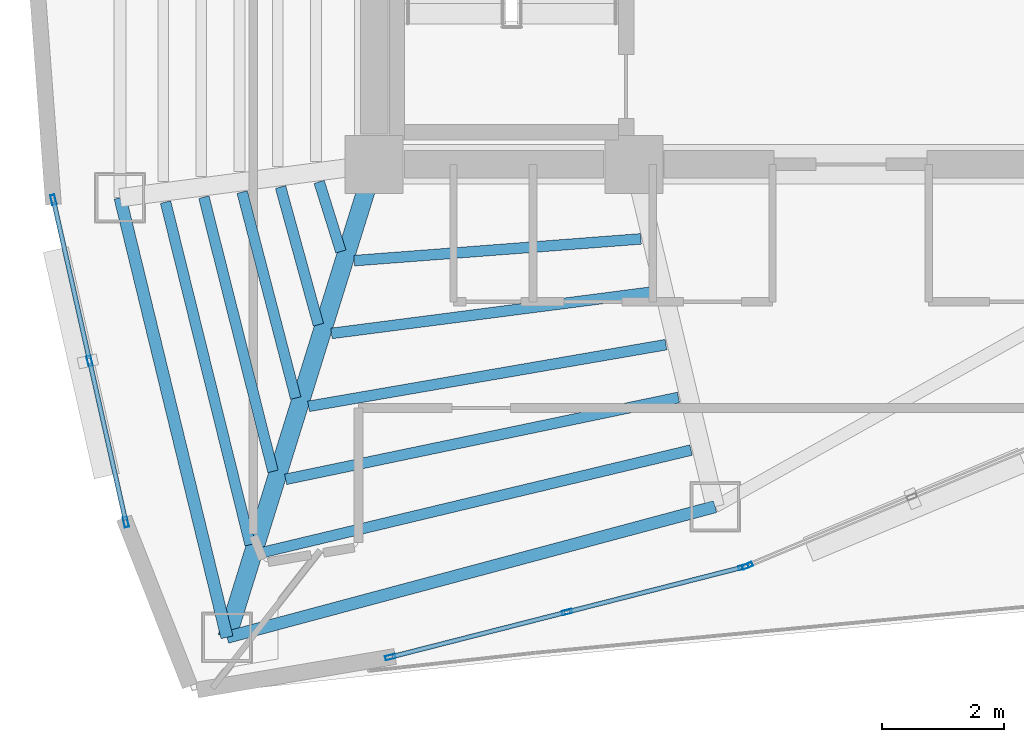
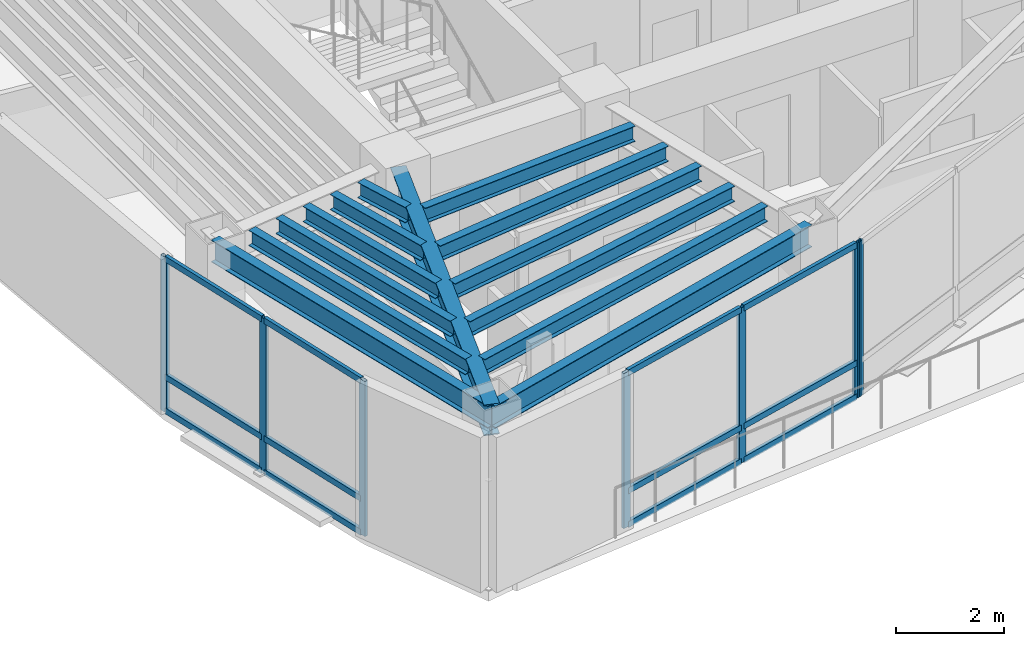
# One storey, part 2 of 16: 19 members, 13 beams, 3 elements without a shape of their own.
"""IFC4 building model written with IfcOpenShell, lengths in metres."""

from ifc_helpers import new_model, si_unit, direction, frame, origin, origin_2d, place, context, subcontext, project, spatial, hollow_rectangle, i_section, extrude, material, layer, layer_set, material_profile, profile_set, type_object, element, aggregate, save


model = new_model("IFC4")

# Units and contexts
model_context = context("Model", 3, precision=1e-05, world=origin(), true_north=direction((0.0, 1.0)))
body_context = subcontext(model_context, "Body", "Model", "MODEL_VIEW")
ifc_project = project(units=[si_unit("LENGTHUNIT", "METRE"), si_unit("AREAUNIT", "SQUARE_METRE"), si_unit("VOLUMEUNIT", "CUBIC_METRE"), si_unit("PLANEANGLEUNIT", "RADIAN"), si_unit("MASSUNIT", "GRAM", prefix="KILO")], contexts=[model_context])

# Site, building, storey
site_placement = place(None, origin())
site = spatial("IfcSite", under=ifc_project, at=site_placement, CompositionType="ELEMENT")
building_placement = place(site_placement, origin())
building = spatial("IfcBuilding", under=site, at=building_placement, Name="Menara Vayukalpa", CompositionType="ELEMENT")
storey_placement = place(building_placement, frame((0.0, 0.0, 247.139892578125)))
storey = spatial("IfcBuildingStorey", under=building, at=storey_placement, Name="L62", CompositionType="ELEMENT", Elevation=247.139892578125)

# Beams
ifc_material_1 = material(Name="Steel S355", Category="steel")
ifc_material_profile_1 = material_profile(ifc_material_1, i_section(OverallWidth=0.300048828125, OverallDepth=0.699951171875, WebThickness=0.012939453125, FlangeThickness=0.02392578125, at=origin_2d()), Name="WF 700x300x13x24")
ifc_profile_set_1 = profile_set([ifc_material_profile_1], Name="Steel S355")
beam_type_1 = type_object("IfcBeamType", Name="BM-PG5", PredefinedType="BEAM", material=ifc_profile_set_1)
beam_1_placement = place(storey_placement, frame((17.7255859375, 16.961181640625, 3.150146484375), z_axis=(-0.297213792842, -0.954810955815, 0.0), x_axis=(0.954810955815, -0.297213792842, 0.0)))
element("IfcBeam", 1, at=beam_1_placement, inside=storey, type_object=beam_type_1, Name="L62 Primary Radial Girder RG07", PredefinedType="BEAM", context=body_context, shape_type="SweptSolid", body=[
    extrude(i_section(OverallWidth=0.300048828125, OverallDepth=0.699951171875, WebThickness=0.012939453125, FlangeThickness=0.02392578125, at=origin_2d()), origin(), (0.0, 0.0, 1.0), 7.861083984375),
])
ifc_material_2 = material(Name="Steel S355", Category="steel")
ifc_material_profile_2 = material_profile(ifc_material_2, i_section(OverallWidth=0.175048828125, OverallDepth=0.35009765625, WebThickness=0.007080078125, FlangeThickness=0.010986328125, at=origin_2d()), Name="WF 350x175x7x11")
ifc_profile_set_2 = profile_set([ifc_material_profile_2], Name="Steel S355")
beam_type_2 = type_object("IfcBeamType", Name="BM-SJ3", PredefinedType="JOIST", material=ifc_profile_set_2)
beam_2_placement = place(storey_placement, frame((16.8984375, 16.91259765625, 3.3251953125), z_axis=(0.298018933644, -0.954559958929, 0.0), x_axis=(0.954559958929, 0.298018933644, 0.0)))
element("IfcBeam", 2, at=beam_2_placement, inside=storey, type_object=beam_type_2, Name="L62 Secondary Floor Joist SJ06-1", PredefinedType="JOIST", context=body_context, shape_type="SweptSolid", body=[
    extrude(i_section(OverallWidth=0.175048828125, OverallDepth=0.35009765625, WebThickness=0.007080078125, FlangeThickness=0.010986328125, at=origin_2d()), origin(), (0.0, 0.0, 1.0), 1.1943359375),
])
beam_3_placement = place(storey_placement, frame((16.2666015625, 16.82861328125, 3.3251953125), z_axis=(0.264918721837, -0.9642707456, 0.0), x_axis=(0.9642707456, 0.264918721837, 0.0)))
element("IfcBeam", 3, at=beam_3_placement, inside=storey, type_object=beam_type_2, Name="L62 Secondary Floor Joist SJ06-2", PredefinedType="JOIST", context=body_context, shape_type="SweptSolid", body=[
    extrude(i_section(OverallWidth=0.175048828125, OverallDepth=0.35009765625, WebThickness=0.007080078125, FlangeThickness=0.010986328125, at=origin_2d()), origin(), (0.0, 0.0, 1.0), 2.3388671875),
])
beam_4_placement = place(storey_placement, frame((15.63818359375, 16.745849609375, 3.3251953125), z_axis=(0.251492114719, -0.96785934734, 0.0), x_axis=(0.96785934734, 0.251492114719, 0.0)))
element("IfcBeam", 4, at=beam_4_placement, inside=storey, type_object=beam_type_2, Name="L62 Secondary Floor Joist SJ06-3", PredefinedType="JOIST", context=body_context, shape_type="SweptSolid", body=[
    extrude(i_section(OverallWidth=0.175048828125, OverallDepth=0.35009765625, WebThickness=0.007080078125, FlangeThickness=0.010986328125, at=origin_2d()), origin(), (0.0, 0.0, 1.0), 3.485107421875),
])
beam_5_placement = place(storey_placement, frame((15.010986328125, 16.6630859375, 3.3251953125), z_axis=(0.244247063973, -0.969713035769, 0.0), x_axis=(0.969713035769, 0.244247063973, 0.0)))
element("IfcBeam", 5, at=beam_5_placement, inside=storey, type_object=beam_type_2, Name="L62 Secondary Floor Joist SJ06-4", PredefinedType="JOIST", context=body_context, shape_type="SweptSolid", body=[
    extrude(i_section(OverallWidth=0.175048828125, OverallDepth=0.35009765625, WebThickness=0.007080078125, FlangeThickness=0.010986328125, at=origin_2d()), origin(), (0.0, 0.0, 1.0), 4.630859375),
])
beam_6_placement = place(storey_placement, frame((14.384033203125, 16.580810546875, 3.3251953125), z_axis=(0.239671161383, -0.970854126222, 0.0), x_axis=(0.970854126222, 0.239671161383, 0.0)))
element("IfcBeam", 6, at=beam_6_placement, inside=storey, type_object=beam_type_2, Name="L62 Secondary Floor Joist SJ06-5", PredefinedType="JOIST", context=body_context, shape_type="SweptSolid", body=[
    extrude(i_section(OverallWidth=0.175048828125, OverallDepth=0.35009765625, WebThickness=0.007080078125, FlangeThickness=0.010986328125, at=origin_2d()), origin(), (0.0, 0.0, 1.0), 5.77783203125),
])
beam_7_placement = place(storey_placement, frame((17.474609375, 15.623046875, 3.3251953125), z_axis=(0.997135697669, 0.075633328852, 0.0), x_axis=(-0.075633328852, 0.997135697669, 0.0)))
element("IfcBeam", 7, at=beam_7_placement, inside=storey, type_object=beam_type_2, Name="L62 Secondary Floor Joist SJ07-1", PredefinedType="JOIST", context=body_context, shape_type="SweptSolid", body=[
    extrude(i_section(OverallWidth=0.175048828125, OverallDepth=0.35009765625, WebThickness=0.007080078125, FlangeThickness=0.010986328125, at=origin_2d()), origin(), (0.0, 0.0, 1.0), 4.706298828125),
])
beam_8_placement = place(storey_placement, frame((17.099853515625, 14.43115234375, 3.3251953125), z_axis=(0.991763759233, 0.128080622546, 0.0), x_axis=(-0.128080622546, 0.991763759233, 0.0)))
element("IfcBeam", 8, at=beam_8_placement, inside=storey, type_object=beam_type_2, Name="L62 Secondary Floor Joist SJ07-2", PredefinedType="JOIST", context=body_context, shape_type="SweptSolid", body=[
    extrude(i_section(OverallWidth=0.175048828125, OverallDepth=0.35009765625, WebThickness=0.007080078125, FlangeThickness=0.010986328125, at=origin_2d()), origin(), (0.0, 0.0, 1.0), 5.316162109375),
])
beam_9_placement = place(storey_placement, frame((16.724853515625, 13.2373046875, 3.3251953125), z_axis=(0.985440172071, 0.170022549294, 0.0), x_axis=(-0.170022549294, 0.985440172071, 0.0)))
element("IfcBeam", 9, at=beam_9_placement, inside=storey, type_object=beam_type_2, Name="L62 Secondary Floor Joist SJ07-3", PredefinedType="JOIST", context=body_context, shape_type="SweptSolid", body=[
    extrude(i_section(OverallWidth=0.175048828125, OverallDepth=0.35009765625, WebThickness=0.007080078125, FlangeThickness=0.010986328125, at=origin_2d()), origin(), (0.0, 0.0, 1.0), 5.93896484375),
])
beam_10_placement = place(storey_placement, frame((16.35009765625, 12.0419921875, 3.3251953125), z_axis=(0.978941451827, 0.204141210671, 0.0), x_axis=(-0.204141210671, 0.978941451827, 0.0)))
element("IfcBeam", 10, at=beam_10_placement, inside=storey, type_object=beam_type_2, Name="L62 Secondary Floor Joist SJ07-4", PredefinedType="JOIST", context=body_context, shape_type="SweptSolid", body=[
    extrude(i_section(OverallWidth=0.175048828125, OverallDepth=0.35009765625, WebThickness=0.007080078125, FlangeThickness=0.010986328125, at=origin_2d()), origin(), (0.0, 0.0, 1.0), 6.570556640625),
])
beam_11_placement = place(storey_placement, frame((15.97509765625, 10.845947265625, 3.3251953125), z_axis=(0.972642465748, 0.232307197097, 0.0), x_axis=(-0.232307197097, 0.972642465748, 0.0)))
element("IfcBeam", 11, at=beam_11_placement, inside=storey, type_object=beam_type_2, Name="L62 Secondary Floor Joist SJ07-5", PredefinedType="JOIST", context=body_context, shape_type="SweptSolid", body=[
    extrude(i_section(OverallWidth=0.175048828125, OverallDepth=0.35009765625, WebThickness=0.007080078125, FlangeThickness=0.010986328125, at=origin_2d()), origin(), (0.0, 0.0, 1.0), 7.20947265625),
])
ifc_material_3 = material(Name="Steel S355", Category="steel")
ifc_material_profile_3 = material_profile(ifc_material_3, i_section(OverallWidth=0.199951171875, OverallDepth=0.5, WebThickness=0.010009765625, FlangeThickness=0.01611328125, at=origin_2d()), Name="WF 500x200x10x16")
ifc_profile_set_3 = profile_set([ifc_material_profile_3], Name="Steel S355")
beam_type_3 = type_object("IfcBeamType", Name="BM-SP3", PredefinedType="SPANDREL", material=ifc_profile_set_3)
beam_12_placement = place(storey_placement, frame((13.638916015625, 16.6533203125, 3.25), z_axis=(0.236272525754, -0.97168682896, 0.0), x_axis=(0.97168682896, 0.236272525754, 0.0)))
element("IfcBeam", 12, at=beam_12_placement, inside=storey, type_object=beam_type_3, Name="L62 Perimeter Spandrel Beam SP06", PredefinedType="SPANDREL", context=body_context, shape_type="SweptSolid", body=[
    extrude(i_section(OverallWidth=0.199951171875, OverallDepth=0.5, WebThickness=0.010009765625, FlangeThickness=0.01611328125, at=origin_2d()), origin(), (0.0, 0.0, 1.0), 7.40771484375),
])
beam_13_placement = place(storey_placement, frame((15.38916015625, 9.455322265625, 3.25), z_axis=(0.965978332552, 0.258623009494, 0.0), x_axis=(-0.258623009494, 0.965978332552, 0.0)))
element("IfcBeam", 13, at=beam_13_placement, inside=storey, type_object=beam_type_3, Name="L62 Perimeter Spandrel Beam SP07", PredefinedType="SPANDREL", context=body_context, shape_type="SweptSolid", body=[
    extrude(i_section(OverallWidth=0.199951171875, OverallDepth=0.5, WebThickness=0.010009765625, FlangeThickness=0.01611328125, at=origin_2d()), origin(), (0.0, 0.0, 1.0), 8.274169921875),
])

# Curtain wall, members
ifc_material_4 = material(Name="Anodised Terracotta Aluminium Alloy 6063-T6", Category="masonry")
ifc_layer = layer(ifc_material_4, 0.1650390625)
ifc_layer_set = layer_set([ifc_layer], Name="Anodised Terracotta Aluminium Alloy 6063-T6")
curtain_wall_type = type_object("IfcCurtainWallType", Name="CW-CW6", PredefinedType="USERDEFINED", material=ifc_layer_set)
curtain_wall_1_placement = place(storey_placement, origin())
curtain_wall_1 = element("IfcCurtainWall", 14, at=curtain_wall_1_placement, inside=storey, type_object=curtain_wall_type, Name="L62 Observation and Executive Curtain Wall CW6 13", ObjectType="UNITISED", PredefinedType="USERDEFINED")
ifc_material_5 = material(Name="Anodised Terracotta Aluminium Alloy 6063-T6", Category="masonry")
ifc_material_profile_4 = material_profile(ifc_material_5, hollow_rectangle(XDim=0.070068359375, YDim=0.1650390625, WallThickness=0.00390625, at=origin_2d()), Name="ALU 70x165x4")
ifc_profile_set_4 = profile_set([ifc_material_profile_4], Name="Anodised Terracotta Aluminium Alloy 6063-T6")
member_type_1 = type_object("IfcMemberType", Name="CWM-CW6", PredefinedType="MULLION", material=ifc_profile_set_4)
member_1_placement = place(storey_placement, frame((12.546630859375, 16.619140625, 0.0), z_axis=(0.0, 0.0, 1.0), x_axis=(0.975609169922, 0.21951480033, 0.0)))
member_1 = element("IfcMember", 15, at=member_1_placement, type_object=member_type_1, Name="CW6 mullion 1", PredefinedType="MULLION", context=body_context, shape_type="SweptSolid", body=[
    extrude(hollow_rectangle(XDim=0.070068359375, YDim=0.1650390625, WallThickness=0.00390625, at=origin_2d()), origin(), (0.0, 0.0, 1.0), 3.5),
])
member_2_placement = place(storey_placement, frame((13.140380859375, 13.97998046875, 0.0), z_axis=(0.0, 0.0, 1.0), x_axis=(0.975609169922, 0.21951480033, 0.0)))
member_2 = element("IfcMember", 16, at=member_2_placement, type_object=member_type_1, Name="CW6 mullion 2", PredefinedType="MULLION", context=body_context, shape_type="SweptSolid", body=[
    extrude(hollow_rectangle(XDim=0.070068359375, YDim=0.1650390625, WallThickness=0.00390625, at=origin_2d()), origin(), (0.0, 0.0, 1.0), 3.5),
])
member_3_placement = place(storey_placement, frame((13.734375, 11.3408203125, 0.0), z_axis=(0.0, 0.0, 1.0), x_axis=(0.975609169922, 0.21951480033, 0.0)))
member_3 = element("IfcMember", 17, at=member_3_placement, type_object=member_type_1, Name="CW6 mullion 3", PredefinedType="MULLION", context=body_context, shape_type="SweptSolid", body=[
    extrude(hollow_rectangle(XDim=0.070068359375, YDim=0.1650390625, WallThickness=0.00390625, at=origin_2d()), origin(), (0.0, 0.0, 1.0), 3.5),
])

curtain_wall_2_placement = place(storey_placement, origin())
curtain_wall_2 = element("IfcCurtainWall", 18, at=curtain_wall_2_placement, inside=storey, type_object=curtain_wall_type, Name="L62 Observation and Executive Curtain Wall CW6 16", ObjectType="UNITISED", PredefinedType="USERDEFINED")
member_4_placement = place(storey_placement, frame((18.064208984375, 9.13134765625, 0.0), z_axis=(0.0, 0.0, 1.0), x_axis=(-0.247127195113, 0.968983049096, 0.0)))
member_4 = element("IfcMember", 19, at=member_4_placement, type_object=member_type_1, Name="CW6 mullion 1", PredefinedType="MULLION", context=body_context, shape_type="SweptSolid", body=[
    extrude(hollow_rectangle(XDim=0.070068359375, YDim=0.1650390625, WallThickness=0.00390625, at=origin_2d()), origin(), (0.0, 0.0, 1.0), 3.5),
])
member_5_placement = place(storey_placement, frame((20.95556640625, 9.868896484375, 0.0), z_axis=(0.0, 0.0, 1.0), x_axis=(-0.247127195113, 0.968983049096, 0.0)))
member_5 = element("IfcMember", 20, at=member_5_placement, type_object=member_type_1, Name="CW6 mullion 2", PredefinedType="MULLION", context=body_context, shape_type="SweptSolid", body=[
    extrude(hollow_rectangle(XDim=0.070068359375, YDim=0.1650390625, WallThickness=0.00390625, at=origin_2d()), origin(), (0.0, 0.0, 1.0), 3.5),
])
member_6_placement = place(storey_placement, frame((23.84716796875, 10.6064453125, 0.0), z_axis=(0.0, 0.0, 1.0), x_axis=(-0.247127195113, 0.968983049096, 0.0)))
member_6 = element("IfcMember", 21, at=member_6_placement, type_object=member_type_1, Name="CW6 mullion 3", PredefinedType="MULLION", context=body_context, shape_type="SweptSolid", body=[
    extrude(hollow_rectangle(XDim=0.070068359375, YDim=0.1650390625, WallThickness=0.00390625, at=origin_2d()), origin(), (0.0, 0.0, 1.0), 3.5),
])

# Curtain wall, member
curtain_wall_3_placement = place(storey_placement, origin())
curtain_wall_3 = element("IfcCurtainWall", 22, at=curtain_wall_3_placement, inside=storey, type_object=curtain_wall_type, Name="L62 Observation and Executive Curtain Wall CW6 17", ObjectType="UNITISED", PredefinedType="USERDEFINED")
member_7_placement = place(storey_placement, frame((23.913330078125, 10.62841796875, 0.0), z_axis=(0.0, 0.0, 1.0), x_axis=(-0.385899911703, 0.922540653927, 0.0)))
member_7 = element("IfcMember", 23, at=member_7_placement, type_object=member_type_1, Name="CW6 mullion 1", PredefinedType="MULLION", context=body_context, shape_type="SweptSolid", body=[
    extrude(hollow_rectangle(XDim=0.070068359375, YDim=0.1650390625, WallThickness=0.00390625, at=origin_2d()), origin(), (0.0, 0.0, 1.0), 3.5),
])
aggregate(curtain_wall_3, [member_7])

# Member
ifc_material_6 = material(Name="Anodised Terracotta Aluminium Alloy 6063-T6", Category="masonry")
ifc_material_profile_5 = material_profile(ifc_material_6, hollow_rectangle(XDim=0.074951171875, YDim=0.135009765625, WallThickness=0.00390625, at=origin_2d()), Name="ALU 75x135x4")
ifc_profile_set_5 = profile_set([ifc_material_profile_5], Name="Anodised Terracotta Aluminium Alloy 6063-T6")
member_type_2 = type_object("IfcMemberType", Name="CWT-CW6", PredefinedType="USERDEFINED", material=ifc_profile_set_5)
member_8_placement = place(storey_placement, frame((12.554443359375, 16.5849609375, 0.03759765625), z_axis=(0.219490148434, -0.975614716341, 0.0), x_axis=(0.975614716341, 0.219490148434, 0.0)))
member_8 = element("IfcMember", 24, at=member_8_placement, type_object=member_type_2, Name="CW6 transom 1.1", ObjectType="TRANSOM", PredefinedType="USERDEFINED", context=body_context, shape_type="SweptSolid", body=[
    extrude(hollow_rectangle(XDim=0.074951171875, YDim=0.135009765625, WallThickness=0.00390625, at=origin_2d()), origin(), (0.0, 0.0, 1.0), 2.635009765625),
])

member_9_placement = place(storey_placement, frame((12.554443359375, 16.5849609375, 0.800048828125), z_axis=(0.219490148434, -0.975614716341, 0.0), x_axis=(0.975614716341, 0.219490148434, 0.0)))
member_9 = element("IfcMember", 25, at=member_9_placement, type_object=member_type_2, Name="CW6 transom 1.2", ObjectType="TRANSOM", PredefinedType="USERDEFINED", context=body_context, shape_type="SweptSolid", body=[
    extrude(hollow_rectangle(XDim=0.074951171875, YDim=0.135009765625, WallThickness=0.00390625, at=origin_2d()), origin(), (0.0, 0.0, 1.0), 2.635009765625),
])

member_10_placement = place(storey_placement, frame((12.554443359375, 16.5849609375, 3.462646484375), z_axis=(0.219490148434, -0.975614716341, 0.0), x_axis=(0.975614716341, 0.219490148434, 0.0)))
member_10 = element("IfcMember", 26, at=member_10_placement, type_object=member_type_2, Name="CW6 transom 1.3", ObjectType="TRANSOM", PredefinedType="USERDEFINED", context=body_context, shape_type="SweptSolid", body=[
    extrude(hollow_rectangle(XDim=0.074951171875, YDim=0.135009765625, WallThickness=0.00390625, at=origin_2d()), origin(), (0.0, 0.0, 1.0), 2.635009765625),
])

member_11_placement = place(storey_placement, frame((13.148193359375, 13.94580078125, 0.03759765625), z_axis=(0.219490148434, -0.975614716341, 0.0), x_axis=(0.975614716341, 0.219490148434, 0.0)))
member_11 = element("IfcMember", 27, at=member_11_placement, type_object=member_type_2, Name="CW6 transom 2.1", ObjectType="TRANSOM", PredefinedType="USERDEFINED", context=body_context, shape_type="SweptSolid", body=[
    extrude(hollow_rectangle(XDim=0.074951171875, YDim=0.135009765625, WallThickness=0.00390625, at=origin_2d()), origin(), (0.0, 0.0, 1.0), 2.635009765625),
])

member_12_placement = place(storey_placement, frame((13.148193359375, 13.94580078125, 0.800048828125), z_axis=(0.219490148434, -0.975614716341, 0.0), x_axis=(0.975614716341, 0.219490148434, 0.0)))
member_12 = element("IfcMember", 28, at=member_12_placement, type_object=member_type_2, Name="CW6 transom 2.2", ObjectType="TRANSOM", PredefinedType="USERDEFINED", context=body_context, shape_type="SweptSolid", body=[
    extrude(hollow_rectangle(XDim=0.074951171875, YDim=0.135009765625, WallThickness=0.00390625, at=origin_2d()), origin(), (0.0, 0.0, 1.0), 2.635009765625),
])

member_13_placement = place(storey_placement, frame((13.148193359375, 13.94580078125, 3.462646484375), z_axis=(0.219490148434, -0.975614716341, 0.0), x_axis=(0.975614716341, 0.219490148434, 0.0)))
member_13 = element("IfcMember", 29, at=member_13_placement, type_object=member_type_2, Name="CW6 transom 2.3", ObjectType="TRANSOM", PredefinedType="USERDEFINED", context=body_context, shape_type="SweptSolid", body=[
    extrude(hollow_rectangle(XDim=0.074951171875, YDim=0.135009765625, WallThickness=0.00390625, at=origin_2d()), origin(), (0.0, 0.0, 1.0), 2.635009765625),
])

aggregate(curtain_wall_1, [member_1, member_2, member_3, member_8, member_9, member_10, member_11, member_12, member_13])

member_14_placement = place(storey_placement, frame((18.09814453125, 9.14013671875, 0.03759765625), z_axis=(0.968973234248, 0.247165675835, 0.0), x_axis=(-0.247165675835, 0.968973234248, 0.0)))
member_14 = element("IfcMember", 30, at=member_14_placement, type_object=member_type_2, Name="CW6 transom 1.1", ObjectType="TRANSOM", PredefinedType="USERDEFINED", context=body_context, shape_type="SweptSolid", body=[
    extrude(hollow_rectangle(XDim=0.074951171875, YDim=0.135009765625, WallThickness=0.00390625, at=origin_2d()), origin(), (0.0, 0.0, 1.0), 2.913818359375),
])

member_15_placement = place(storey_placement, frame((18.09814453125, 9.14013671875, 0.800048828125), z_axis=(0.968973234248, 0.247165675835, 0.0), x_axis=(-0.247165675835, 0.968973234248, 0.0)))
member_15 = element("IfcMember", 31, at=member_15_placement, type_object=member_type_2, Name="CW6 transom 1.2", ObjectType="TRANSOM", PredefinedType="USERDEFINED", context=body_context, shape_type="SweptSolid", body=[
    extrude(hollow_rectangle(XDim=0.074951171875, YDim=0.135009765625, WallThickness=0.00390625, at=origin_2d()), origin(), (0.0, 0.0, 1.0), 2.913818359375),
])

member_16_placement = place(storey_placement, frame((18.09814453125, 9.14013671875, 3.462646484375), z_axis=(0.968973234248, 0.247165675835, 0.0), x_axis=(-0.247165675835, 0.968973234248, 0.0)))
member_16 = element("IfcMember", 32, at=member_16_placement, type_object=member_type_2, Name="CW6 transom 1.3", ObjectType="TRANSOM", PredefinedType="USERDEFINED", context=body_context, shape_type="SweptSolid", body=[
    extrude(hollow_rectangle(XDim=0.074951171875, YDim=0.135009765625, WallThickness=0.00390625, at=origin_2d()), origin(), (0.0, 0.0, 1.0), 2.913818359375),
])

member_17_placement = place(storey_placement, frame((20.989501953125, 9.87744140625, 0.03759765625), z_axis=(0.968978352122, 0.247145611167, 0.0), x_axis=(-0.247145611167, 0.968978352122, 0.0)))
member_17 = element("IfcMember", 33, at=member_17_placement, type_object=member_type_2, Name="CW6 transom 2.1", ObjectType="TRANSOM", PredefinedType="USERDEFINED", context=body_context, shape_type="SweptSolid", body=[
    extrude(hollow_rectangle(XDim=0.074951171875, YDim=0.135009765625, WallThickness=0.00390625, at=origin_2d()), origin(), (0.0, 0.0, 1.0), 2.9140625),
])

member_18_placement = place(storey_placement, frame((20.989501953125, 9.87744140625, 0.800048828125), z_axis=(0.968978352122, 0.247145611167, 0.0), x_axis=(-0.247145611167, 0.968978352122, 0.0)))
member_18 = element("IfcMember", 34, at=member_18_placement, type_object=member_type_2, Name="CW6 transom 2.2", ObjectType="TRANSOM", PredefinedType="USERDEFINED", context=body_context, shape_type="SweptSolid", body=[
    extrude(hollow_rectangle(XDim=0.074951171875, YDim=0.135009765625, WallThickness=0.00390625, at=origin_2d()), origin(), (0.0, 0.0, 1.0), 2.9140625),
])

member_19_placement = place(storey_placement, frame((20.989501953125, 9.87744140625, 3.462646484375), z_axis=(0.968978352122, 0.247145611167, 0.0), x_axis=(-0.247145611167, 0.968978352122, 0.0)))
member_19 = element("IfcMember", 35, at=member_19_placement, type_object=member_type_2, Name="CW6 transom 2.3", ObjectType="TRANSOM", PredefinedType="USERDEFINED", context=body_context, shape_type="SweptSolid", body=[
    extrude(hollow_rectangle(XDim=0.074951171875, YDim=0.135009765625, WallThickness=0.00390625, at=origin_2d()), origin(), (0.0, 0.0, 1.0), 2.9140625),
])

aggregate(curtain_wall_2, [member_4, member_5, member_6, member_14, member_15, member_16, member_17, member_18, member_19])

save(model, "model.ifc")
